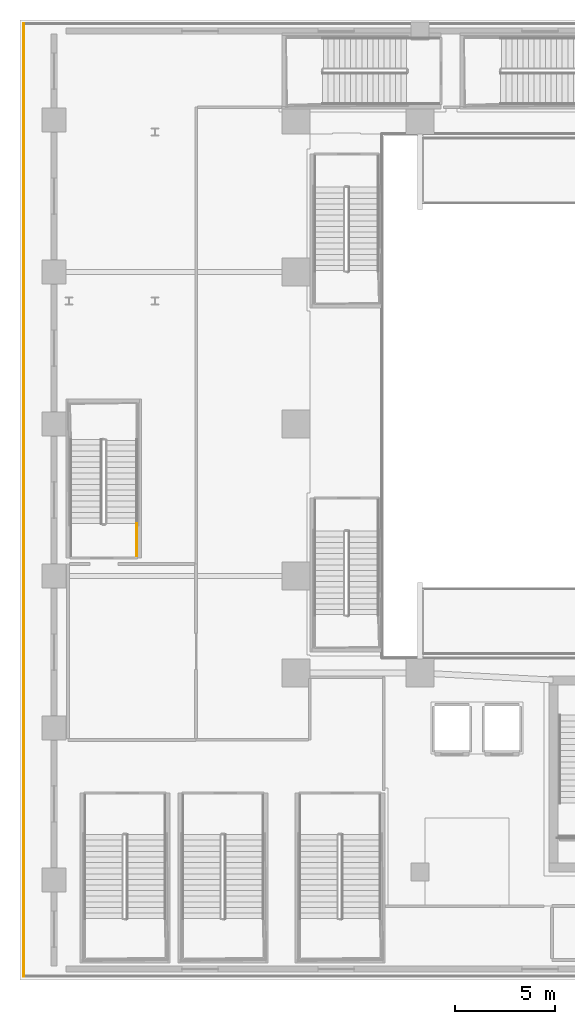
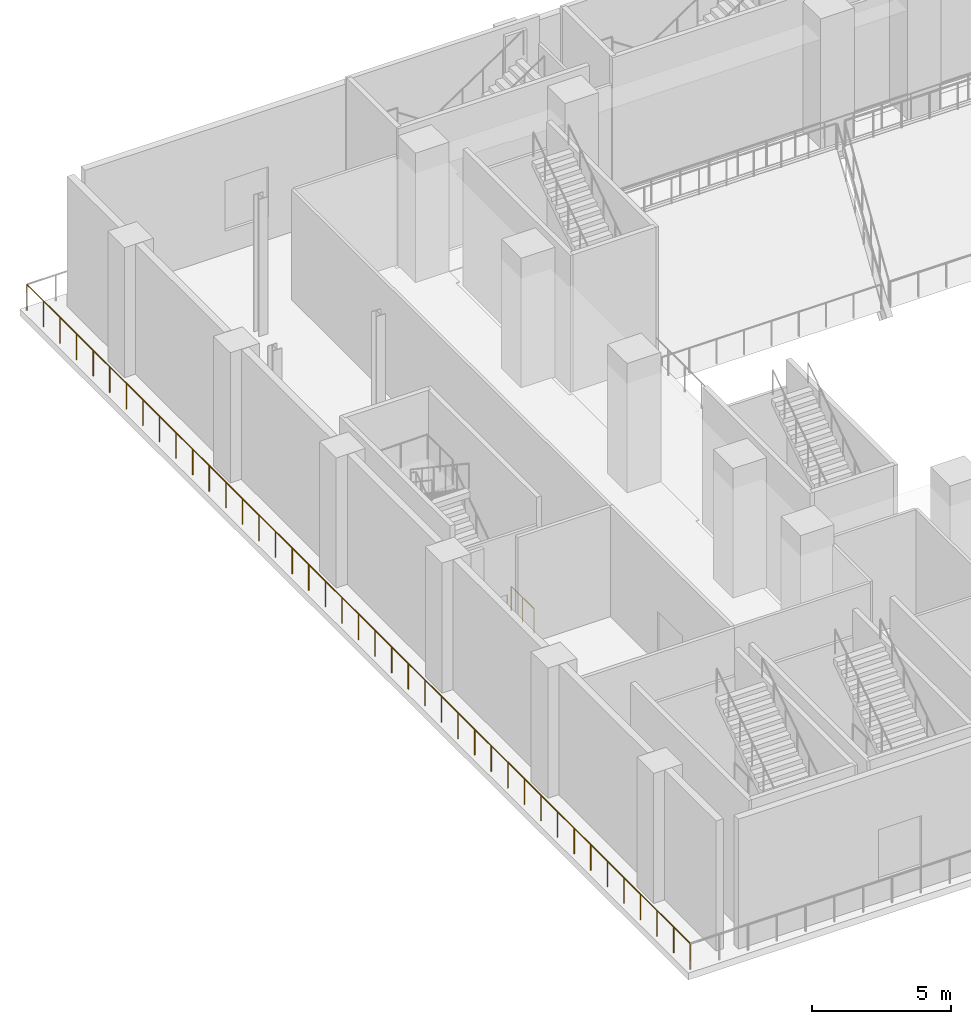
# One storey, part 16 of 30: 2 railings.
"""IFC4 building model written with IfcOpenShell, lengths in metres."""

import ifcopenshell
import ifcopenshell.guid

model = None  # the IFC model being written
_history = None  # IfcOwnerHistory: only IFC2X3 demands one
_inside = {}  # id of a spatial element -> (the spatial element, [elements in it])
_under = {}  # id of a project, library or spatial element -> (it, [spatial elements below it])
_declared = {}  # id of a project -> (the project, [libraries it declares])
_typed = {}  # id of a type object -> (the type object, [elements of that type])
_made_of = {}  # id of a material, layer set ... -> (it, [elements and type objects made of it])


def new_model(schema):
    """Start an empty IFC model of exactly this schema.

    Asked for "IFC4X3", IfcOpenShell would pick the latest addendum, in which some entities
    have other attributes; the version numbers below select the first issue.
    IFC2X3 requires an IfcOwnerHistory on every rooted entity: one is made here for all.
    """
    global model, _history
    if schema == "IFC4X3":
        model = ifcopenshell.file(schema_version=(4, 3, 0, 0))
    else:
        model = ifcopenshell.file(schema=schema)
    _inside.clear()
    _under.clear()
    _declared.clear()
    _typed.clear()
    _made_of.clear()
    _history = None
    if model.schema == "IFC2X3":
        org = make("IfcOrganization", Name="unknown")
        user = make(
            "IfcPersonAndOrganization",
            ThePerson=make("IfcPerson", FamilyName="unknown"),
            TheOrganization=org,
        )
        app = make(
            "IfcApplication",
            ApplicationDeveloper=org,
            Version="unknown",
            ApplicationFullName="unknown",
            ApplicationIdentifier="unknown",
        )
        _history = make(
            "IfcOwnerHistory",
            OwningUser=user,
            OwningApplication=app,
            ChangeAction="ADDED",
            CreationDate=0,
        )
    return model


def make(cls, **values):
    """One entity of the class cls with the attributes given. An attribute that is None is left unset."""
    return model.create_entity(
        cls, **{name: value for name, value in values.items() if value is not None}
    )


def rooted(cls, **values):
    """An entity with a GlobalId (a new one), such as an element, a storey or a relation."""
    return make(cls, GlobalId=ifcopenshell.guid.new(), OwnerHistory=_history, **values)


def si_unit(unit_type, name, prefix=None):
    """IfcSIUnit, for example si_unit("LENGTHUNIT", "METRE", prefix="MILLI")."""
    return make("IfcSIUnit", UnitType=unit_type, Prefix=prefix, Name=name)


def assignment(units):
    """IfcUnitAssignment: the units of a project."""
    return None if units is None else make("IfcUnitAssignment", Units=units)


def point(xyz):
    """IfcCartesianPoint."""
    return None if xyz is None else make("IfcCartesianPoint", Coordinates=xyz)


def direction(xyz):
    """IfcDirection."""
    return None if xyz is None else make("IfcDirection", DirectionRatios=xyz)


def frame(location, z_axis=None, x_axis=None):
    """IfcAxis2Placement3D, a coordinate frame: its origin and axes. An axis left out is left unset."""
    return make(
        "IfcAxis2Placement3D",
        Location=point(location),
        Axis=direction(z_axis),
        RefDirection=direction(x_axis),
    )


def frame_2d(location, x_axis=None):
    """IfcAxis2Placement2D, a coordinate frame in the plane: its origin and x axis."""
    return make(
        "IfcAxis2Placement2D", Location=point(location), RefDirection=direction(x_axis)
    )


def origin():
    """The frame at (0, 0, 0) with its axes left unset."""
    return frame((0.0, 0.0, 0.0))


def origin_2d():
    """The frame at (0, 0) in the plane with its x axis left unset."""
    return frame_2d((0.0, 0.0))


def place(relative_to, where):
    """IfcLocalPlacement: puts the frame where relative to a parent placement (None: the world)."""
    return make(
        "IfcLocalPlacement", PlacementRelTo=relative_to, RelativePlacement=where
    )


def context(
    kind, dimensions, precision=None, world=None, true_north=None, identifier=None
):
    """IfcGeometricRepresentationContext, for example the 3D "Model" context."""
    return make(
        "IfcGeometricRepresentationContext",
        ContextIdentifier=identifier,
        ContextType=kind,
        CoordinateSpaceDimension=dimensions,
        Precision=precision,
        WorldCoordinateSystem=world,
        TrueNorth=true_north,
    )


def subcontext(parent, identifier, kind, view, scale=None):
    """IfcGeometricRepresentationSubContext, for example "Body" below "Model"."""
    return make(
        "IfcGeometricRepresentationSubContext",
        ContextIdentifier=identifier,
        ContextType=kind,
        ParentContext=parent,
        TargetScale=scale,
        TargetView=view,
    )


def project(units=None, contexts=None):
    """IfcProject with its units and contexts."""
    return rooted(
        "IfcProject",
        Name="project",
        RepresentationContexts=contexts,
        UnitsInContext=assignment(units),
    )


def spatial(cls, under=None, at=None, **own):
    """A site, building, storey or space (cls), placed at a placement, below another one or the project."""
    s = rooted(cls, ObjectPlacement=at, **own)
    if under is not None:
        _under.setdefault(under.id(), (under, []))[1].append(s)
    return s


def profile(cls, at=None, kind="AREA", **sizes):
    """A parametric profile (cls). Its sizes go by their IFC names, for example OverallWidth=200.0."""
    return make(cls, ProfileType=kind, Position=at, **sizes)


def circle(**sizes):
    """IfcCircleProfileDef."""
    return profile("IfcCircleProfileDef", **sizes)


def extrude(swept, where, along, depth):
    """IfcExtrudedAreaSolid: the profile swept, set in the frame where, extruded along a direction by depth."""
    return make(
        "IfcExtrudedAreaSolid",
        SweptArea=swept,
        Position=where,
        ExtrudedDirection=direction(along),
        Depth=depth,
    )


def shape(context_of_items, identifier, shape_type, items):
    """IfcShapeRepresentation: the items that make up one representation, for example the "Body"."""
    return make(
        "IfcShapeRepresentation",
        ContextOfItems=context_of_items,
        RepresentationIdentifier=identifier,
        RepresentationType=shape_type,
        Items=items,
    )


def material(Name=None, Category=None):
    """IfcMaterial."""
    return make("IfcMaterial", Name=Name, Category=Category)


def layer(
    of_material, thickness, ventilated=None, Name=None, Category=None, Priority=None
):
    """IfcMaterialLayer: one layer of a wall or slab, of a material (None: an air gap)."""
    return make(
        "IfcMaterialLayer",
        Material=of_material,
        LayerThickness=thickness,
        IsVentilated=ventilated,
        Name=Name,
        Category=Category,
        Priority=Priority,
    )


def layer_set(layers, Name=None):
    """IfcMaterialLayerSet."""
    return make("IfcMaterialLayerSet", MaterialLayers=layers, LayerSetName=Name)


def made_of(thing, what):
    """Note that an element or type object is made of a material, layer set ...; save() writes the relation."""
    if what is not None:
        _made_of.setdefault(what.id(), (what, []))[1].append(thing)
    return thing


def type_object(cls, material=None, **own):
    """A type object (cls), such as IfcWallType, which elements share."""
    return made_of(rooted(cls, **own), material)


def element(
    cls,
    number,
    at=None,
    inside=None,
    cuts=None,
    type_object=None,
    material=None,
    context=None,
    identifier="Body",
    shape_type=None,
    held_by="IfcProductDefinitionShape",
    body=None,
    shapes=None,
    **own,
):
    """One element of the class cls, such as IfcWall. Its Tag is "e" and its number.

    at: its placement. inside: the storey or other place that contains it. cuts: it is an
    opening in that element (IfcRelVoidsElement). A single representation is given by context,
    identifier, shape_type and body (its items); several are given by shapes. held_by: the class
    of the entity that holds the representations. save() writes the other relations.
    """
    e = rooted(cls, Tag="e%d" % number, ObjectPlacement=at, **own)
    if body is not None:
        shapes = [shape(context, identifier, shape_type, body)]
    if shapes is not None:
        e.Representation = make(held_by, Representations=shapes)
    if inside is not None:
        _inside.setdefault(inside.id(), (inside, []))[1].append(e)
    if cuts is not None:
        rooted(
            "IfcRelVoidsElement", RelatingBuildingElement=cuts, RelatedOpeningElement=e
        )
    if type_object is not None:
        _typed.setdefault(type_object.id(), (type_object, []))[1].append(e)
    return made_of(e, material)


def aggregate(whole, parts):
    """IfcRelAggregates: a whole, such as a stair, and the parts it consists of."""
    return rooted("IfcRelAggregates", RelatingObject=whole, RelatedObjects=parts)


def save(model, path):
    """Write the relations noted so far, then the file.

    IfcRelAggregates (storeys below a building ...), IfcRelContainedInSpatialStructure (elements
    in a storey), IfcRelDefinesByType, IfcRelAssociatesMaterial and IfcRelDeclares: one each for
    every whole, place, type object, material and project.
    """
    for whole, parts in _under.values():
        aggregate(whole, parts)
    for where, things in _inside.values():
        rooted(
            "IfcRelContainedInSpatialStructure",
            RelatedElements=things,
            RelatingStructure=where,
        )
    for kind, things in _typed.values():
        rooted("IfcRelDefinesByType", RelatedObjects=things, RelatingType=kind)
    for what, things in _made_of.values():
        rooted("IfcRelAssociatesMaterial", RelatedObjects=things, RelatingMaterial=what)
    for by, libraries in _declared.values():
        rooted("IfcRelDeclares", RelatingContext=by, RelatedDefinitions=libraries)
    model.write(path)


model = new_model("IFC4")

# Units and contexts
model_context = context("Model", 3, precision=1e-05, world=origin(), true_north=direction((0.0, 1.0)))
body_context = subcontext(model_context, "Body", "Model", "MODEL_VIEW")
ifc_project = project(units=[si_unit("LENGTHUNIT", "METRE"), si_unit("AREAUNIT", "SQUARE_METRE"), si_unit("VOLUMEUNIT", "CUBIC_METRE"), si_unit("PLANEANGLEUNIT", "RADIAN"), si_unit("MASSUNIT", "GRAM", prefix="KILO")], contexts=[model_context])

# Site, building, storey
site_placement = place(None, origin())
site = spatial("IfcSite", under=ifc_project, at=site_placement, CompositionType="ELEMENT")
building_placement = place(site_placement, origin())
building = spatial("IfcBuilding", under=site, at=building_placement, Name="Ndaravel Arena Tower", CompositionType="ELEMENT")
storey_placement = place(building_placement, frame((0.0, 0.0, 6.0)))
storey = spatial("IfcBuildingStorey", under=building, at=storey_placement, Name="L01", CompositionType="ELEMENT", Elevation=6.0)

# Railings
ifc_material_1 = material(Name="Steel S355", Category="steel")
ifc_layer_1 = layer(ifc_material_1, 0.06005859375)
ifc_layer_set_1 = layer_set([ifc_layer_1], Name="Steel S355")
railing_type_1 = type_object("IfcRailingType", Name="RAIL-STAIR-GD1100", PredefinedType="GUARDRAIL", material=ifc_layer_set_1)
railing_1_placement = place(storey_placement, frame((5.830078125, 21.199951171875, 0.0)))
element("IfcRailing", 1, at=railing_1_placement, inside=storey, type_object=railing_type_1, Name="L01 ST-A07 stair guard 5", PredefinedType="GUARDRAIL", context=body_context, shape_type="SweptSolid", body=[
    extrude(circle(Radius=0.02392578125, at=origin_2d()), frame((0.0, 0.0, 1.076171875), z_axis=(0.0, 1.0, 0.0), x_axis=(-1.0, 0.0, 0.0)), (0.0, 0.0, 1.0), 1.6201171875),
    extrude(circle(Radius=0.02099609375, at=origin_2d()), origin(), (0.0, 0.0, 1.0), 1.052001953125),
    extrude(circle(Radius=0.02099609375, at=origin_2d()), frame((0.0, 0.81005859375, 0.0)), (0.0, 0.0, 1.0), 1.052001953125),
    extrude(circle(Radius=0.02099609375, at=origin_2d()), frame((0.0, 1.6201171875, 0.0)), (0.0, 0.0, 1.0), 1.052001953125),
])
ifc_material_2 = material(Name="Glazing", Category="glass")
ifc_layer_2 = layer(ifc_material_2, 0.070068359375)
ifc_layer_set_2 = layer_set([ifc_layer_2], Name="Glazing")
railing_type_2 = type_object("IfcRailingType", Name="RAIL-TERRACE-1150", PredefinedType="BALUSTRADE", material=ifc_layer_set_2)
railing_2_placement = place(storey_placement, frame((0.179931640625, 47.820068359375, 0.0)))
element("IfcRailing", 2, at=railing_2_placement, inside=storey, type_object=railing_type_2, Name="L01 Podium Perimeter Edge Guard 4", PredefinedType="BALUSTRADE", context=body_context, shape_type="SweptSolid", body=[
    extrude(circle(Radius=0.02392578125, at=origin_2d()), frame((0.0, 0.0, 1.1259765625), z_axis=(0.0, -1.0, 0.0), x_axis=(1.0, 0.0, 0.0)), (0.0, 0.0, 1.0), 47.64013671875),
    extrude(circle(Radius=0.02099609375, at=origin_2d()), origin(), (0.0, 0.0, 1.0), 1.101806640625),
    extrude(circle(Radius=0.02099609375, at=origin_2d()), frame((0.0, -1.19091796875, 0.0)), (0.0, 0.0, 1.0), 1.101806640625),
    extrude(circle(Radius=0.02099609375, at=origin_2d()), frame((0.0, -2.382080078125, 0.0)), (0.0, 0.0, 1.0), 1.101806640625),
    extrude(circle(Radius=0.02099609375, at=origin_2d()), frame((0.0, -3.572998046875, 0.0)), (0.0, 0.0, 1.0), 1.101806640625),
    extrude(circle(Radius=0.02099609375, at=origin_2d()), frame((0.0, -4.763916015625, 0.0)), (0.0, 0.0, 1.0), 1.101806640625),
    extrude(circle(Radius=0.02099609375, at=origin_2d()), frame((0.0, -5.955078125, 0.0)), (0.0, 0.0, 1.0), 1.101806640625),
    extrude(circle(Radius=0.02099609375, at=origin_2d()), frame((0.0, -7.14599609375, 0.0)), (0.0, 0.0, 1.0), 1.101806640625),
    extrude(circle(Radius=0.02099609375, at=origin_2d()), frame((0.0, -8.3369140625, 0.0)), (0.0, 0.0, 1.0), 1.101806640625),
    extrude(circle(Radius=0.02099609375, at=origin_2d()), frame((0.0, -9.528076171875, 0.0)), (0.0, 0.0, 1.0), 1.101806640625),
    extrude(circle(Radius=0.02099609375, at=origin_2d()), frame((0.0, -10.718994140625, 0.0)), (0.0, 0.0, 1.0), 1.101806640625),
    extrude(circle(Radius=0.02099609375, at=origin_2d()), frame((0.0, -11.91015625, 0.0)), (0.0, 0.0, 1.0), 1.101806640625),
    extrude(circle(Radius=0.02099609375, at=origin_2d()), frame((0.0, -13.10107421875, 0.0)), (0.0, 0.0, 1.0), 1.101806640625),
    extrude(circle(Radius=0.02099609375, at=origin_2d()), frame((0.0, -14.2919921875, 0.0)), (0.0, 0.0, 1.0), 1.101806640625),
    extrude(circle(Radius=0.02099609375, at=origin_2d()), frame((0.0, -15.483154296875, 0.0)), (0.0, 0.0, 1.0), 1.101806640625),
    extrude(circle(Radius=0.02099609375, at=origin_2d()), frame((0.0, -16.674072265625, 0.0)), (0.0, 0.0, 1.0), 1.101806640625),
    extrude(circle(Radius=0.02099609375, at=origin_2d()), frame((0.0, -17.864990234375, 0.0)), (0.0, 0.0, 1.0), 1.101806640625),
    extrude(circle(Radius=0.02099609375, at=origin_2d()), frame((0.0, -19.05615234375, 0.0)), (0.0, 0.0, 1.0), 1.101806640625),
    extrude(circle(Radius=0.02099609375, at=origin_2d()), frame((0.0, -20.2470703125, 0.0)), (0.0, 0.0, 1.0), 1.101806640625),
    extrude(circle(Radius=0.02099609375, at=origin_2d()), frame((0.0, -21.43798828125, 0.0)), (0.0, 0.0, 1.0), 1.101806640625),
    extrude(circle(Radius=0.02099609375, at=origin_2d()), frame((0.0, -22.629150390625, 0.0)), (0.0, 0.0, 1.0), 1.101806640625),
    extrude(circle(Radius=0.02099609375, at=origin_2d()), frame((0.0, -23.820068359375, 0.0)), (0.0, 0.0, 1.0), 1.101806640625),
    extrude(circle(Radius=0.02099609375, at=origin_2d()), frame((0.0, -25.010986328125, 0.0)), (0.0, 0.0, 1.0), 1.101806640625),
    extrude(circle(Radius=0.02099609375, at=origin_2d()), frame((0.0, -26.2021484375, 0.0)), (0.0, 0.0, 1.0), 1.101806640625),
    extrude(circle(Radius=0.02099609375, at=origin_2d()), frame((0.0, -27.39306640625, 0.0)), (0.0, 0.0, 1.0), 1.101806640625),
    extrude(circle(Radius=0.02099609375, at=origin_2d()), frame((0.0, -28.583984375, 0.0)), (0.0, 0.0, 1.0), 1.101806640625),
    extrude(circle(Radius=0.02099609375, at=origin_2d()), frame((0.0, -29.775146484375, 0.0)), (0.0, 0.0, 1.0), 1.101806640625),
    extrude(circle(Radius=0.02099609375, at=origin_2d()), frame((0.0, -30.966064453125, 0.0)), (0.0, 0.0, 1.0), 1.101806640625),
    extrude(circle(Radius=0.02099609375, at=origin_2d()), frame((0.0, -32.156982421875, 0.0)), (0.0, 0.0, 1.0), 1.101806640625),
    extrude(circle(Radius=0.02099609375, at=origin_2d()), frame((0.0, -33.34814453125, 0.0)), (0.0, 0.0, 1.0), 1.101806640625),
    extrude(circle(Radius=0.02099609375, at=origin_2d()), frame((0.0, -34.5390625, 0.0)), (0.0, 0.0, 1.0), 1.101806640625),
    extrude(circle(Radius=0.02099609375, at=origin_2d()), frame((0.0, -35.72998046875, 0.0)), (0.0, 0.0, 1.0), 1.101806640625),
    extrude(circle(Radius=0.02099609375, at=origin_2d()), frame((0.0, -36.921142578125, 0.0)), (0.0, 0.0, 1.0), 1.101806640625),
    extrude(circle(Radius=0.02099609375, at=origin_2d()), frame((0.0, -38.112060546875, 0.0)), (0.0, 0.0, 1.0), 1.101806640625),
    extrude(circle(Radius=0.02099609375, at=origin_2d()), frame((0.0, -39.30322265625, 0.0)), (0.0, 0.0, 1.0), 1.101806640625),
    extrude(circle(Radius=0.02099609375, at=origin_2d()), frame((0.0, -40.494140625, 0.0)), (0.0, 0.0, 1.0), 1.101806640625),
    extrude(circle(Radius=0.02099609375, at=origin_2d()), frame((0.0, -41.68505859375, 0.0)), (0.0, 0.0, 1.0), 1.101806640625),
    extrude(circle(Radius=0.02099609375, at=origin_2d()), frame((0.0, -42.876220703125, 0.0)), (0.0, 0.0, 1.0), 1.101806640625),
    extrude(circle(Radius=0.02099609375, at=origin_2d()), frame((0.0, -44.067138671875, 0.0)), (0.0, 0.0, 1.0), 1.101806640625),
    extrude(circle(Radius=0.02099609375, at=origin_2d()), frame((0.0, -45.258056640625, 0.0)), (0.0, 0.0, 1.0), 1.101806640625),
    extrude(circle(Radius=0.02099609375, at=origin_2d()), frame((0.0, -46.44921875, 0.0)), (0.0, 0.0, 1.0), 1.101806640625),
    extrude(circle(Radius=0.02099609375, at=origin_2d()), frame((0.0, -47.64013671875, 0.0)), (0.0, 0.0, 1.0), 1.101806640625),
])

save(model, "model.ifc")
